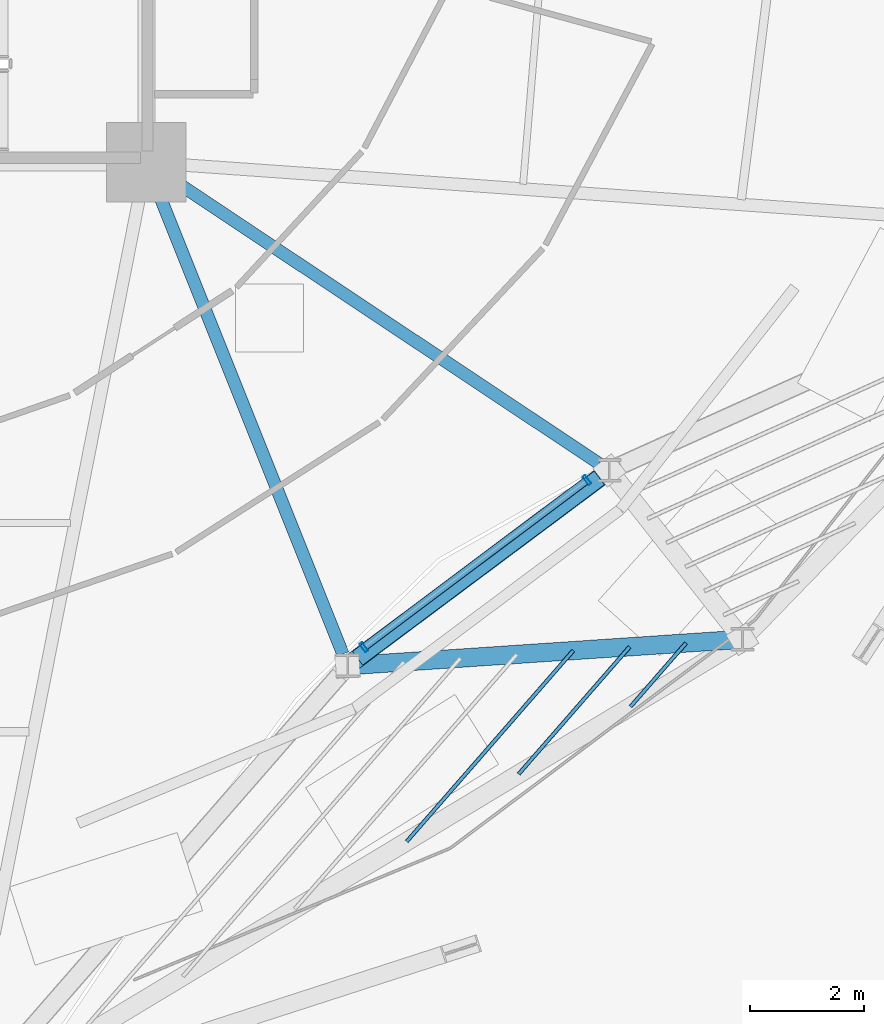
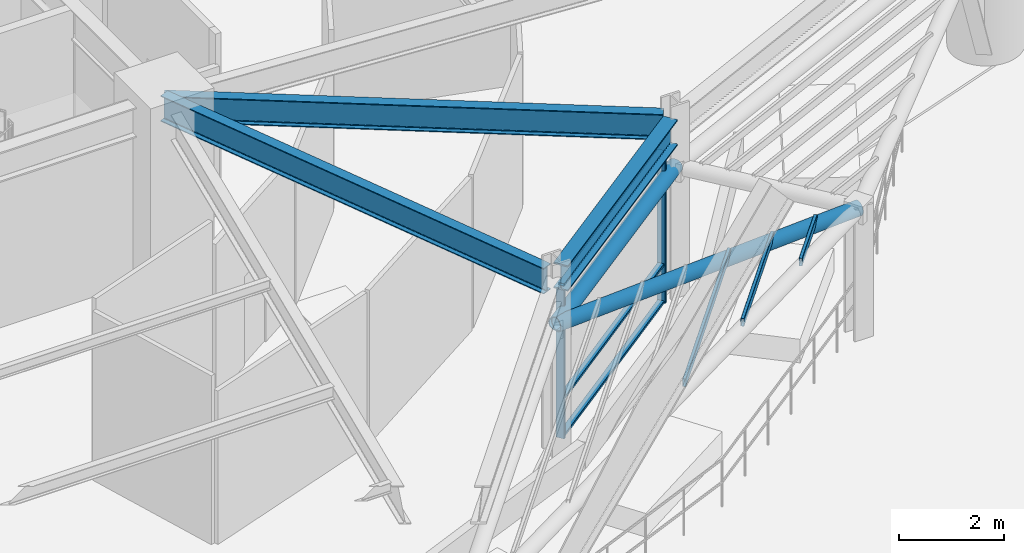
# One storey, part 20 of 40: 10 members, 3 beams, 1 element without a shape of its own.
"""IFC4 building model written with IfcOpenShell, lengths in metres."""

import ifcopenshell
import ifcopenshell.guid

model = None  # the IFC model being written
_history = None  # IfcOwnerHistory: only IFC2X3 demands one
_inside = {}  # id of a spatial element -> (the spatial element, [elements in it])
_under = {}  # id of a project, library or spatial element -> (it, [spatial elements below it])
_declared = {}  # id of a project -> (the project, [libraries it declares])
_typed = {}  # id of a type object -> (the type object, [elements of that type])
_made_of = {}  # id of a material, layer set ... -> (it, [elements and type objects made of it])


def new_model(schema):
    """Start an empty IFC model of exactly this schema.

    Asked for "IFC4X3", IfcOpenShell would pick the latest addendum, in which some entities
    have other attributes; the version numbers below select the first issue.
    IFC2X3 requires an IfcOwnerHistory on every rooted entity: one is made here for all.
    """
    global model, _history
    if schema == "IFC4X3":
        model = ifcopenshell.file(schema_version=(4, 3, 0, 0))
    else:
        model = ifcopenshell.file(schema=schema)
    _inside.clear()
    _under.clear()
    _declared.clear()
    _typed.clear()
    _made_of.clear()
    _history = None
    if model.schema == "IFC2X3":
        org = make("IfcOrganization", Name="unknown")
        user = make(
            "IfcPersonAndOrganization",
            ThePerson=make("IfcPerson", FamilyName="unknown"),
            TheOrganization=org,
        )
        app = make(
            "IfcApplication",
            ApplicationDeveloper=org,
            Version="unknown",
            ApplicationFullName="unknown",
            ApplicationIdentifier="unknown",
        )
        _history = make(
            "IfcOwnerHistory",
            OwningUser=user,
            OwningApplication=app,
            ChangeAction="ADDED",
            CreationDate=0,
        )
    return model


def make(cls, **values):
    """One entity of the class cls with the attributes given. An attribute that is None is left unset."""
    return model.create_entity(
        cls, **{name: value for name, value in values.items() if value is not None}
    )


def rooted(cls, **values):
    """An entity with a GlobalId (a new one), such as an element, a storey or a relation."""
    return make(cls, GlobalId=ifcopenshell.guid.new(), OwnerHistory=_history, **values)


def si_unit(unit_type, name, prefix=None):
    """IfcSIUnit, for example si_unit("LENGTHUNIT", "METRE", prefix="MILLI")."""
    return make("IfcSIUnit", UnitType=unit_type, Prefix=prefix, Name=name)


def assignment(units):
    """IfcUnitAssignment: the units of a project."""
    return None if units is None else make("IfcUnitAssignment", Units=units)


def point(xyz):
    """IfcCartesianPoint."""
    return None if xyz is None else make("IfcCartesianPoint", Coordinates=xyz)


def direction(xyz):
    """IfcDirection."""
    return None if xyz is None else make("IfcDirection", DirectionRatios=xyz)


def frame(location, z_axis=None, x_axis=None):
    """IfcAxis2Placement3D, a coordinate frame: its origin and axes. An axis left out is left unset."""
    return make(
        "IfcAxis2Placement3D",
        Location=point(location),
        Axis=direction(z_axis),
        RefDirection=direction(x_axis),
    )


def frame_2d(location, x_axis=None):
    """IfcAxis2Placement2D, a coordinate frame in the plane: its origin and x axis."""
    return make(
        "IfcAxis2Placement2D", Location=point(location), RefDirection=direction(x_axis)
    )


def origin():
    """The frame at (0, 0, 0) with its axes left unset."""
    return frame((0.0, 0.0, 0.0))


def origin_2d():
    """The frame at (0, 0) in the plane with its x axis left unset."""
    return frame_2d((0.0, 0.0))


def place(relative_to, where):
    """IfcLocalPlacement: puts the frame where relative to a parent placement (None: the world)."""
    return make(
        "IfcLocalPlacement", PlacementRelTo=relative_to, RelativePlacement=where
    )


def context(
    kind, dimensions, precision=None, world=None, true_north=None, identifier=None
):
    """IfcGeometricRepresentationContext, for example the 3D "Model" context."""
    return make(
        "IfcGeometricRepresentationContext",
        ContextIdentifier=identifier,
        ContextType=kind,
        CoordinateSpaceDimension=dimensions,
        Precision=precision,
        WorldCoordinateSystem=world,
        TrueNorth=true_north,
    )


def subcontext(parent, identifier, kind, view, scale=None):
    """IfcGeometricRepresentationSubContext, for example "Body" below "Model"."""
    return make(
        "IfcGeometricRepresentationSubContext",
        ContextIdentifier=identifier,
        ContextType=kind,
        ParentContext=parent,
        TargetScale=scale,
        TargetView=view,
    )


def project(units=None, contexts=None):
    """IfcProject with its units and contexts."""
    return rooted(
        "IfcProject",
        Name="project",
        RepresentationContexts=contexts,
        UnitsInContext=assignment(units),
    )


def spatial(cls, under=None, at=None, **own):
    """A site, building, storey or space (cls), placed at a placement, below another one or the project."""
    s = rooted(cls, ObjectPlacement=at, **own)
    if under is not None:
        _under.setdefault(under.id(), (under, []))[1].append(s)
    return s


def profile(cls, at=None, kind="AREA", **sizes):
    """A parametric profile (cls). Its sizes go by their IFC names, for example OverallWidth=200.0."""
    return make(cls, ProfileType=kind, Position=at, **sizes)


def hollow_rectangle(**sizes):
    """IfcRectangleHollowProfileDef."""
    return profile("IfcRectangleHollowProfileDef", **sizes)


def hollow_circle(**sizes):
    """IfcCircleHollowProfileDef."""
    return profile("IfcCircleHollowProfileDef", **sizes)


def i_section(**sizes):
    """IfcIShapeProfileDef."""
    return profile("IfcIShapeProfileDef", **sizes)


def extrude(swept, where, along, depth):
    """IfcExtrudedAreaSolid: the profile swept, set in the frame where, extruded along a direction by depth."""
    return make(
        "IfcExtrudedAreaSolid",
        SweptArea=swept,
        Position=where,
        ExtrudedDirection=direction(along),
        Depth=depth,
    )


def shape(context_of_items, identifier, shape_type, items):
    """IfcShapeRepresentation: the items that make up one representation, for example the "Body"."""
    return make(
        "IfcShapeRepresentation",
        ContextOfItems=context_of_items,
        RepresentationIdentifier=identifier,
        RepresentationType=shape_type,
        Items=items,
    )


def material(Name=None, Category=None):
    """IfcMaterial."""
    return make("IfcMaterial", Name=Name, Category=Category)


def layer(
    of_material, thickness, ventilated=None, Name=None, Category=None, Priority=None
):
    """IfcMaterialLayer: one layer of a wall or slab, of a material (None: an air gap)."""
    return make(
        "IfcMaterialLayer",
        Material=of_material,
        LayerThickness=thickness,
        IsVentilated=ventilated,
        Name=Name,
        Category=Category,
        Priority=Priority,
    )


def layer_set(layers, Name=None):
    """IfcMaterialLayerSet."""
    return make("IfcMaterialLayerSet", MaterialLayers=layers, LayerSetName=Name)


def material_profile(
    of_material, cross_section, Name=None, Category=None, Priority=None
):
    """IfcMaterialProfile: a cross section and its material."""
    return make(
        "IfcMaterialProfile",
        Name=Name,
        Material=of_material,
        Profile=cross_section,
        Priority=Priority,
        Category=Category,
    )


def profile_set(profiles, Name=None, composite=None):
    """IfcMaterialProfileSet."""
    return make(
        "IfcMaterialProfileSet",
        Name=Name,
        MaterialProfiles=profiles,
        CompositeProfile=composite,
    )


def made_of(thing, what):
    """Note that an element or type object is made of a material, layer set ...; save() writes the relation."""
    if what is not None:
        _made_of.setdefault(what.id(), (what, []))[1].append(thing)
    return thing


def type_object(cls, material=None, **own):
    """A type object (cls), such as IfcWallType, which elements share."""
    return made_of(rooted(cls, **own), material)


def element(
    cls,
    number,
    at=None,
    inside=None,
    cuts=None,
    type_object=None,
    material=None,
    context=None,
    identifier="Body",
    shape_type=None,
    held_by="IfcProductDefinitionShape",
    body=None,
    shapes=None,
    **own,
):
    """One element of the class cls, such as IfcWall. Its Tag is "e" and its number.

    at: its placement. inside: the storey or other place that contains it. cuts: it is an
    opening in that element (IfcRelVoidsElement). A single representation is given by context,
    identifier, shape_type and body (its items); several are given by shapes. held_by: the class
    of the entity that holds the representations. save() writes the other relations.
    """
    e = rooted(cls, Tag="e%d" % number, ObjectPlacement=at, **own)
    if body is not None:
        shapes = [shape(context, identifier, shape_type, body)]
    if shapes is not None:
        e.Representation = make(held_by, Representations=shapes)
    if inside is not None:
        _inside.setdefault(inside.id(), (inside, []))[1].append(e)
    if cuts is not None:
        rooted(
            "IfcRelVoidsElement", RelatingBuildingElement=cuts, RelatedOpeningElement=e
        )
    if type_object is not None:
        _typed.setdefault(type_object.id(), (type_object, []))[1].append(e)
    return made_of(e, material)


def aggregate(whole, parts):
    """IfcRelAggregates: a whole, such as a stair, and the parts it consists of."""
    return rooted("IfcRelAggregates", RelatingObject=whole, RelatedObjects=parts)


def save(model, path):
    """Write the relations noted so far, then the file.

    IfcRelAggregates (storeys below a building ...), IfcRelContainedInSpatialStructure (elements
    in a storey), IfcRelDefinesByType, IfcRelAssociatesMaterial and IfcRelDeclares: one each for
    every whole, place, type object, material and project.
    """
    for whole, parts in _under.values():
        aggregate(whole, parts)
    for where, things in _inside.values():
        rooted(
            "IfcRelContainedInSpatialStructure",
            RelatedElements=things,
            RelatingStructure=where,
        )
    for kind, things in _typed.values():
        rooted("IfcRelDefinesByType", RelatedObjects=things, RelatingType=kind)
    for what, things in _made_of.values():
        rooted("IfcRelAssociatesMaterial", RelatedObjects=things, RelatingMaterial=what)
    for by, libraries in _declared.values():
        rooted("IfcRelDeclares", RelatingContext=by, RelatedDefinitions=libraries)
    model.write(path)


model = new_model("IFC4")

# Units and contexts
model_context = context("Model", 3, precision=1e-05, world=origin(), true_north=direction((0.0, 1.0)))
body_context = subcontext(model_context, "Body", "Model", "MODEL_VIEW")
ifc_project = project(units=[si_unit("LENGTHUNIT", "METRE"), si_unit("AREAUNIT", "SQUARE_METRE"), si_unit("VOLUMEUNIT", "CUBIC_METRE"), si_unit("PLANEANGLEUNIT", "RADIAN"), si_unit("MASSUNIT", "GRAM", prefix="KILO")], contexts=[model_context])

# Site, building, storey
site_placement = place(None, origin())
site = spatial("IfcSite", under=ifc_project, at=site_placement, CompositionType="ELEMENT")
building_placement = place(site_placement, origin())
building = spatial("IfcBuilding", under=site, at=building_placement, Name="Kelanora Arch Commons", CompositionType="ELEMENT")
storey_placement = place(building_placement, origin())
storey = spatial("IfcBuildingStorey", under=building, at=storey_placement, Name="L00", CompositionType="ELEMENT", Elevation=0.0)

# Beams
ifc_material_1 = material(Name="Steel S355", Category="steel")
ifc_material_profile_1 = material_profile(ifc_material_1, i_section(OverallWidth=0.219970703125, OverallDepth=0.60009765625, WebThickness=0.011962890625, FlangeThickness=0.01904296875, FilletRadius=0.02392578125, at=origin_2d()), Name="IPE600")
ifc_profile_set_1 = profile_set([ifc_material_profile_1], Name="Steel S355")
beam_type_1 = type_object("IfcBeamType", Name="BM-RAD-Z1", PredefinedType="BEAM", material=ifc_profile_set_1)
beam_1_placement = place(storey_placement, frame((82.0, 51.0, 3.89990234375), z_axis=(0.371300433106, -0.928512783098, 0.0), x_axis=(0.928512783098, 0.371300433106, 0.0)))
element("IfcBeam", 1, at=beam_1_placement, inside=storey, type_object=beam_type_1, Name="Radial Floor Girder BR-30 L00", PredefinedType="BEAM", context=body_context, shape_type="SweptSolid", body=[
    extrude(i_section(OverallWidth=0.219970703125, OverallDepth=0.60009765625, WebThickness=0.011962890625, FlangeThickness=0.01904296875, FilletRadius=0.02392578125, at=origin_2d()), origin(), (0.0, 0.0, 1.0), 9.3291015625),
])
beam_2_placement = place(storey_placement, frame((82.0, 51.0, 3.89990234375), z_axis=(0.832598981909, -0.553876281605, 0.0), x_axis=(0.553876281605, 0.832598981909, 0.0)))
element("IfcBeam", 2, at=beam_2_placement, inside=storey, type_object=beam_type_1, Name="Radial Floor Girder BR-32 L00", PredefinedType="BEAM", context=body_context, shape_type="SweptSolid", body=[
    extrude(i_section(OverallWidth=0.219970703125, OverallDepth=0.60009765625, WebThickness=0.011962890625, FlangeThickness=0.01904296875, FilletRadius=0.02392578125, at=origin_2d()), origin(), (0.0, 0.0, 1.0), 9.576416015625),
])
ifc_material_profile_2 = material_profile(ifc_material_1, i_section(OverallWidth=0.300048828125, OverallDepth=0.60009765625, WebThickness=0.015380859375, FlangeThickness=0.030029296875, FilletRadius=0.027099609375, at=origin_2d()), Name="HEB600")
ifc_profile_set_2 = profile_set([ifc_material_profile_2], Name="Steel S355")
beam_type_2 = type_object("IfcBeamType", Name="BM-SPN-Z1", PredefinedType="SPANDREL", material=ifc_profile_set_2)
beam_3_placement = place(storey_placement, frame((85.721923828125, 42.26513671875, 3.89990234375), z_axis=(0.801486366257, 0.598013047269, 0.0), x_axis=(-0.598013047269, 0.801486366257, 0.0)))
element("IfcBeam", 3, at=beam_3_placement, inside=storey, type_object=beam_type_2, Name="Perimeter Spandrel Beam BS-30 L00", PredefinedType="SPANDREL", context=body_context, shape_type="SweptSolid", body=[
    extrude(i_section(OverallWidth=0.300048828125, OverallDepth=0.60009765625, WebThickness=0.015380859375, FlangeThickness=0.030029296875, FilletRadius=0.027099609375, at=origin_2d()), origin(), (0.0, 0.0, 1.0), 5.31298828125),
])

# Curtain wall, members
ifc_material_2 = material(Name="Terracotta ceramic-fritted low-E glass and aluminium", Category="masonry")
ifc_layer = layer(ifc_material_2, 0.2099609375)
ifc_layer_set = layer_set([ifc_layer], Name="Terracotta ceramic-fritted low-E glass and aluminium")
curtain_wall_type = type_object("IfcCurtainWallType", Name="CW-SYS-04", PredefinedType="NOTDEFINED", material=ifc_layer_set)
curtain_wall_placement = place(storey_placement, origin())
curtain_wall = element("IfcCurtainWall", 4, at=curtain_wall_placement, inside=storey, type_object=curtain_wall_type, Name="Unitised Curtain Wall L00-B15", PredefinedType="NOTDEFINED")
ifc_material_3 = material(Name="Powder-coated aluminium terracotta", Category="masonry")
ifc_material_profile_3 = material_profile(ifc_material_3, hollow_rectangle(XDim=0.179931640625, YDim=0.06005859375, WallThickness=0.0048828125, InnerFilletRadius=0.0048828125, OuterFilletRadius=0.010009765625, at=origin_2d()), Name="CWM180x60")
ifc_profile_set_3 = profile_set([ifc_material_profile_3], Name="Powder-coated aluminium terracotta")
member_type_1 = type_object("IfcMemberType", Name="CWM-HVY", PredefinedType="MULLION", material=ifc_profile_set_3)
member_1_placement = place(storey_placement, frame((85.830810546875, 42.45849609375, 0.0), z_axis=(0.0, 0.0, 1.0), x_axis=(-0.599587813185, 0.80030897426, 0.0)))
member_1 = element("IfcMember", 5, at=member_1_placement, type_object=member_type_1, Name="CW-04 mullion 1", PredefinedType="MULLION", context=body_context, shape_type="SweptSolid", body=[
    extrude(hollow_rectangle(XDim=0.179931640625, YDim=0.06005859375, WallThickness=0.0048828125, InnerFilletRadius=0.0048828125, OuterFilletRadius=0.010009765625, at=origin_2d()), origin(), (0.0, 0.0, 1.0), 3.580078125),
])
member_2_placement = place(storey_placement, frame((89.760009765625, 45.402099609375, 0.0), z_axis=(0.0, 0.0, 1.0), x_axis=(-0.599587813185, 0.80030897426, 0.0)))
member_2 = element("IfcMember", 6, at=member_2_placement, type_object=member_type_1, Name="CW-04 mullion 2", PredefinedType="MULLION", context=body_context, shape_type="SweptSolid", body=[
    extrude(hollow_rectangle(XDim=0.179931640625, YDim=0.06005859375, WallThickness=0.0048828125, InnerFilletRadius=0.0048828125, OuterFilletRadius=0.010009765625, at=origin_2d()), origin(), (0.0, 0.0, 1.0), 3.580078125),
])
ifc_material_profile_4 = material_profile(ifc_material_3, hollow_rectangle(XDim=0.139892578125, YDim=0.06005859375, WallThickness=0.0048828125, InnerFilletRadius=0.0048828125, OuterFilletRadius=0.010009765625, at=origin_2d()), Name="CWT140x60")
ifc_profile_set_4 = profile_set([ifc_material_profile_4], Name="Powder-coated aluminium terracotta")
member_type_2 = type_object("IfcMemberType", Name="CWT-HVY", PredefinedType="USERDEFINED", material=ifc_profile_set_4)
member_3_placement = place(storey_placement, frame((85.854736328125, 42.4765625, 0.030029296875), z_axis=(0.800307995736, 0.599589119281, 0.0), x_axis=(-0.599589119281, 0.800307995736, 0.0)))
member_3 = element("IfcMember", 7, at=member_3_placement, type_object=member_type_2, Name="CW-04 transom 1.1", ObjectType="TRANSOM", PredefinedType="USERDEFINED", context=body_context, shape_type="SweptSolid", body=[
    extrude(hollow_rectangle(XDim=0.139892578125, YDim=0.06005859375, WallThickness=0.0048828125, InnerFilletRadius=0.0048828125, OuterFilletRadius=0.010009765625, at=origin_2d()), origin(), (0.0, 0.0, 1.0), 4.849609375),
])
member_4_placement = place(storey_placement, frame((85.854736328125, 42.4765625, 0.89990234375), z_axis=(0.800307995736, 0.599589119281, 0.0), x_axis=(-0.599589119281, 0.800307995736, 0.0)))
member_4 = element("IfcMember", 8, at=member_4_placement, type_object=member_type_2, Name="CW-04 transom 1.2", ObjectType="TRANSOM", PredefinedType="USERDEFINED", context=body_context, shape_type="SweptSolid", body=[
    extrude(hollow_rectangle(XDim=0.139892578125, YDim=0.06005859375, WallThickness=0.0048828125, InnerFilletRadius=0.0048828125, OuterFilletRadius=0.010009765625, at=origin_2d()), origin(), (0.0, 0.0, 1.0), 4.849609375),
])
member_5_placement = place(storey_placement, frame((85.854736328125, 42.4765625, 3.550048828125), z_axis=(0.800307995736, 0.599589119281, 0.0), x_axis=(-0.599589119281, 0.800307995736, 0.0)))
member_5 = element("IfcMember", 9, at=member_5_placement, type_object=member_type_2, Name="CW-04 transom 1.3", ObjectType="TRANSOM", PredefinedType="USERDEFINED", context=body_context, shape_type="SweptSolid", body=[
    extrude(hollow_rectangle(XDim=0.139892578125, YDim=0.06005859375, WallThickness=0.0048828125, InnerFilletRadius=0.0048828125, OuterFilletRadius=0.010009765625, at=origin_2d()), origin(), (0.0, 0.0, 1.0), 4.849609375),
])
aggregate(curtain_wall, [member_1, member_2, member_3, member_4, member_5])

# Members
ifc_material_profile_5 = material_profile(ifc_material_1, hollow_circle(Radius=0.161865234375, WallThickness=0.01611328125, at=origin_2d()), Name="CHS323.9x16")
ifc_profile_set_5 = profile_set([ifc_material_profile_5], Name="Steel S355")
member_type_3 = type_object("IfcMemberType", Name="MEM-MKT-CHORD", PredefinedType="CHORD", material=ifc_profile_set_5)
member_6_placement = place(storey_placement, frame((85.545654296875, 42.133544921875, 2.93994140625), z_axis=(0.997757172128, 0.066937474318, 0.0), x_axis=(-0.066937474318, 0.997757172128, 0.0)))
element("IfcMember", 10, at=member_6_placement, inside=storey, type_object=member_type_3, Name="Planted Courtyard Pergola Chord SE-R1", PredefinedType="CHORD", context=body_context, shape_type="SweptSolid", body=[
    extrude(hollow_circle(Radius=0.161865234375, WallThickness=0.01611328125, at=origin_2d()), origin(), (0.0, 0.0, 1.0), 6.969970703125),
])
member_7_placement = place(storey_placement, frame((85.545654296875, 42.133544921875, 2.93994140625), z_axis=(0.801474401239, 0.598029083038, 0.0), x_axis=(-0.598029083038, 0.801474401239, 0.0)))
element("IfcMember", 11, at=member_7_placement, inside=storey, type_object=member_type_3, Name="Planted Courtyard Pergola Chord SE-M1", PredefinedType="CHORD", context=body_context, shape_type="SweptSolid", body=[
    extrude(hollow_circle(Radius=0.161865234375, WallThickness=0.01611328125, at=origin_2d()), origin(), (0.0, 0.0, 1.0), 5.7529296875),
])
ifc_material_profile_6 = material_profile(ifc_material_1, hollow_rectangle(XDim=0.070068359375, YDim=0.179931640625, WallThickness=0.0048828125, InnerFilletRadius=0.0048828125, OuterFilletRadius=0.010009765625, at=origin_2d()), Name="RHS180x70x5")
ifc_profile_set_6 = profile_set([ifc_material_profile_6], Name="Steel S355")
member_type_4 = type_object("IfcMemberType", Name="MEM-MKT-PURLIN", PredefinedType="PURLIN", material=ifc_profile_set_6)
member_8_placement = place(storey_placement, frame((86.586669921875, 39.036865234375, 3.080078125), z_axis=(0.657233231733, 0.753687255502, 0.0), x_axis=(-0.753687255502, 0.657233231733, 0.0)))
element("IfcMember", 12, at=member_8_placement, inside=storey, type_object=member_type_4, Name="Courtyard Garden Trellis Blade SE-A4", PredefinedType="PURLIN", context=body_context, shape_type="SweptSolid", body=[
    extrude(hollow_rectangle(XDim=0.070068359375, YDim=0.179931640625, WallThickness=0.0048828125, InnerFilletRadius=0.0048828125, OuterFilletRadius=0.010009765625, at=origin_2d()), origin(), (0.0, 0.0, 1.0), 4.46240234375),
])
member_9_placement = place(storey_placement, frame((88.557861328125, 40.224609375, 3.080078125), z_axis=(0.657202152248, 0.753714356424, 0.0), x_axis=(-0.753714356424, 0.657202152248, 0.0)))
element("IfcMember", 13, at=member_9_placement, inside=storey, type_object=member_type_4, Name="Courtyard Garden Trellis Blade SE-A5", PredefinedType="PURLIN", context=body_context, shape_type="SweptSolid", body=[
    extrude(hollow_rectangle(XDim=0.070068359375, YDim=0.179931640625, WallThickness=0.0048828125, InnerFilletRadius=0.0048828125, OuterFilletRadius=0.010009765625, at=origin_2d()), origin(), (0.0, 0.0, 1.0), 2.974853515625),
])
member_10_placement = place(storey_placement, frame((90.52880859375, 41.412353515625, 3.080078125), z_axis=(0.657295380644, 0.75363305566, 0.0), x_axis=(-0.75363305566, 0.657295380644, 0.0)))
element("IfcMember", 14, at=member_10_placement, inside=storey, type_object=member_type_4, Name="Courtyard Garden Trellis Blade SE-A6", PredefinedType="PURLIN", context=body_context, shape_type="SweptSolid", body=[
    extrude(hollow_rectangle(XDim=0.070068359375, YDim=0.179931640625, WallThickness=0.0048828125, InnerFilletRadius=0.0048828125, OuterFilletRadius=0.010009765625, at=origin_2d()), origin(), (0.0, 0.0, 1.0), 1.487548828125),
])

save(model, "model.ifc")
